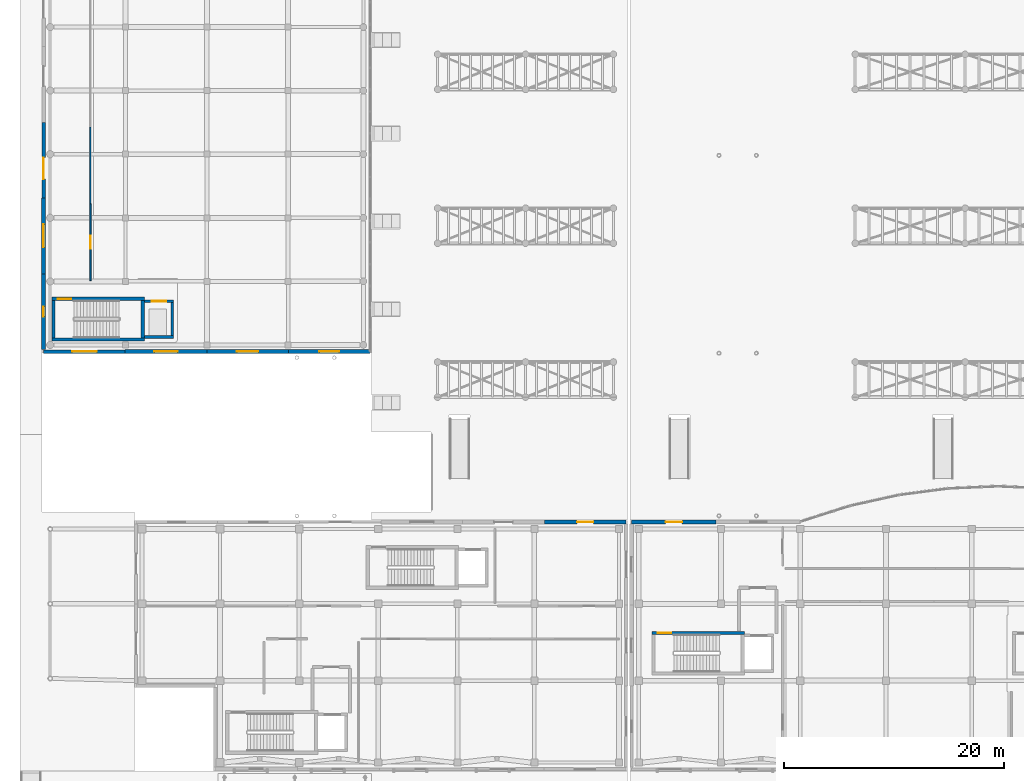
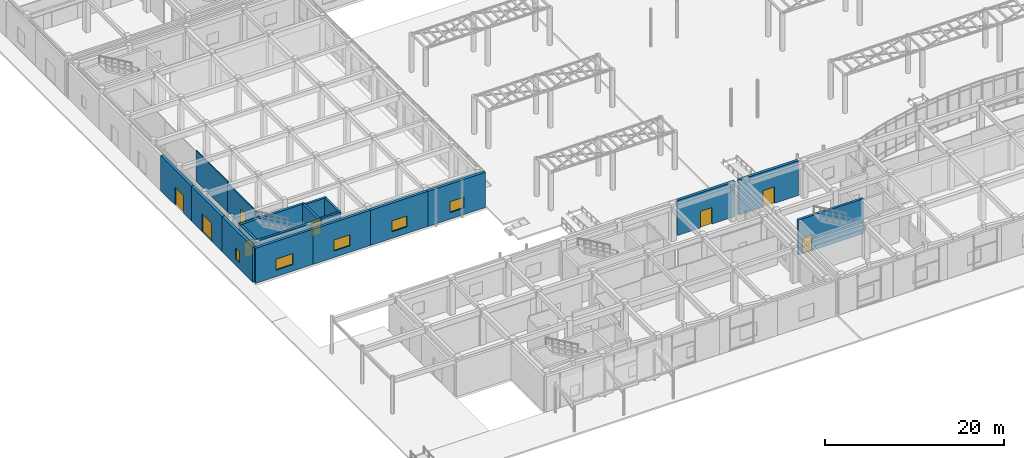
# One storey, part 97 of 121: 19 walls, 8 doors, 5 windows, 13 openings.
"""IFC4 building model written with IfcOpenShell, lengths in metres."""

from ifc_helpers import new_model, si_unit, direction, frame, frame_2d, origin, place, context, subcontext, project, spatial, rectangle, extrude, material, layer, layer_set, type_object, element, fill, save


model = new_model("IFC4")

# Units and contexts
model_context = context("Model", 3, precision=1e-05, world=origin(), true_north=direction((0.0, 1.0)))
body_context = subcontext(model_context, "Body", "Model", "MODEL_VIEW")
ifc_project = project(units=[si_unit("LENGTHUNIT", "METRE"), si_unit("AREAUNIT", "SQUARE_METRE"), si_unit("VOLUMEUNIT", "CUBIC_METRE"), si_unit("PLANEANGLEUNIT", "RADIAN"), si_unit("MASSUNIT", "GRAM", prefix="KILO")], contexts=[model_context])

# Site, building, storey
site_placement = place(None, origin())
site = spatial("IfcSite", under=ifc_project, at=site_placement, CompositionType="ELEMENT")
building_placement = place(site_placement, origin())
building = spatial("IfcBuilding", under=site, at=building_placement, Name="Valcora Specialist Clinic", CompositionType="ELEMENT")
storey_placement = place(building_placement, origin())
storey = spatial("IfcBuildingStorey", under=building, at=storey_placement, Name="L00", CompositionType="ELEMENT", Elevation=0.0)

# Wall
ifc_material_1 = material(Name="Concrete C40/50", Category="concrete")
ifc_layer_1 = layer(ifc_material_1, 0.300048828125)
ifc_layer_set_1 = layer_set([ifc_layer_1], Name="Concrete C40/50")
wall_type_1 = type_object("IfcWallType", Name="TY-WL-CR300", PredefinedType="SHEAR", material=ifc_layer_set_1)
wall_1_placement = place(storey_placement, frame((0.89990234375, 39.25, 0.0), z_axis=(0.0, 0.0, 1.0), x_axis=(1.0, 0.0, 0.0)))
element("IfcWall", 1, at=wall_1_placement, inside=storey, type_object=wall_type_1, Name="Core shear wall WL-CR-C-V1A-L00-S", PredefinedType="SHEAR", context=body_context, shape_type="SweptSolid", body=[
    extrude(rectangle(XDim=8.420166015625, YDim=0.300048828125, at=frame_2d((4.2099609375, 0.0))), origin(), (0.0, 0.0, 1.0), 4.81005859375),
])

# Wall, opening, door
wall_2_placement = place(storey_placement, frame((0.89990234375, 42.949951171875, 0.0), z_axis=(0.0, 0.0, 1.0), x_axis=(1.0, 0.0, 0.0)))
wall_2 = element("IfcWall", 2, at=wall_2_placement, inside=storey, type_object=wall_type_1, Name="Core shear wall WL-CR-C-V1A-L00-N", PredefinedType="SHEAR", context=body_context, shape_type="SweptSolid", body=[
    extrude(rectangle(XDim=8.420166015625, YDim=0.300048828125, at=frame_2d((4.2099609375, 0.0))), origin(), (0.0, 0.0, 1.0), 4.81005859375),
])
opening_1_placement = place(wall_2_placement, frame((0.550048828125, 0.0, 0.0)))
opening_1 = element("IfcOpeningElement", 3, at=opening_1_placement, cuts=wall_2, Name="Opening DR-FD-120", PredefinedType="OPENING", context=body_context, shape_type="SweptSolid", body=[
    extrude(rectangle(XDim=1.199951171875, YDim=2.199951171875, at=frame_2d((0.60009765625, 1.10009765625))), frame((0.0, 0.159912109375, 0.0), z_axis=(0.0, -1.0, 0.0), x_axis=(1.0, 0.0, 0.0)), (0.0, 0.0, 1.0), 0.320068359375),
])
ifc_material_2 = material(Name="Galvanized Hollow Metal Door Steel ASTM A653", Category="steel")
door_type_1 = type_object("IfcDoorType", Name="TY-DR-ST120", OperationType="NOTDEFINED", PredefinedType="DOOR", material=ifc_material_2)
door_1_placement = place(opening_1_placement, origin())
door_1 = element("IfcDoor", 4, at=door_1_placement, inside=storey, type_object=door_type_1, Name="Exit stair fire door C-V1A L00", OperationType="SINGLE_SWING_LEFT", OverallHeight=2.199951171875, OverallWidth=1.199951171875, PredefinedType="DOOR", context=body_context, shape_type="SweptSolid", body=[
    extrude(rectangle(XDim=1.199951171875, YDim=2.199951171875, at=frame_2d((0.60009765625, 1.10009765625))), frame((0.0, 0.02490234375, 0.0), z_axis=(0.0, -1.0, 0.0), x_axis=(1.0, 0.0, 0.0)), (0.0, 0.0, 1.0), 0.050048828125),
])
fill(opening_1, door_1)

# Wall
wall_3_placement = place(storey_placement, frame((1.050048828125, 39.402099609375, 0.0), z_axis=(0.0, 0.0, 1.0), x_axis=(0.0, 1.0, 0.0)))
element("IfcWall", 5, at=wall_3_placement, inside=storey, type_object=wall_type_1, Name="Core shear wall WL-CR-C-V1A-L00-W", PredefinedType="SHEAR", context=body_context, shape_type="SweptSolid", body=[
    extrude(rectangle(XDim=3.39599609375, YDim=0.300048828125, at=frame_2d((1.697998046875, 0.0))), origin(), (0.0, 0.0, 1.0), 4.81005859375),
])

# Wall, opening, door
wall_4_placement = place(storey_placement, frame((55.5, 12.550048828125, 0.0), z_axis=(0.0, 0.0, 1.0), x_axis=(1.0, 0.0, 0.0)))
wall_4 = element("IfcWall", 6, at=wall_4_placement, inside=storey, type_object=wall_type_1, Name="Core shear wall WL-CR-C-V6A-L00-N", PredefinedType="SHEAR", context=body_context, shape_type="SweptSolid", body=[
    extrude(rectangle(XDim=8.419921875, YDim=0.300048828125, at=frame_2d((4.2099609375, 0.0))), origin(), (0.0, 0.0, 1.0), 4.77001953125),
])
opening_2_placement = place(wall_4_placement, frame((0.550048828125, 0.0, 0.0)))
opening_2 = element("IfcOpeningElement", 7, at=opening_2_placement, cuts=wall_4, Name="Opening DR-FD-120", PredefinedType="OPENING", context=body_context, shape_type="SweptSolid", body=[
    extrude(rectangle(XDim=1.199951171875, YDim=2.199951171875, at=frame_2d((0.60009765625, 1.10009765625))), frame((0.0, 0.159912109375, 0.0), z_axis=(0.0, -1.0, 0.0), x_axis=(1.0, 0.0, 0.0)), (0.0, 0.0, 1.0), 0.320068359375),
])
door_2_placement = place(opening_2_placement, origin())
door_2 = element("IfcDoor", 8, at=door_2_placement, inside=storey, type_object=door_type_1, Name="Exit stair fire door C-V6A L00", OperationType="SINGLE_SWING_LEFT", OverallHeight=2.199951171875, OverallWidth=1.199951171875, PredefinedType="DOOR", context=body_context, shape_type="SweptSolid", body=[
    extrude(rectangle(XDim=1.199951171875, YDim=2.199951171875, at=frame_2d((0.60009765625, 1.10009765625))), frame((0.0, 0.02490234375, 0.0), z_axis=(0.0, -1.0, 0.0), x_axis=(1.0, 0.0, 0.0)), (0.0, 0.0, 1.0), 0.050048828125),
])
fill(opening_2, door_2)

# Wall
ifc_layer_2 = layer(ifc_material_1, 0.320068359375)
ifc_layer_set_2 = layer_set([ifc_layer_2], Name="Concrete C40/50")
wall_type_2 = type_object("IfcWallType", Name="TY-WL-CR320", PredefinedType="SHEAR", material=ifc_layer_set_2)
wall_5_placement = place(storey_placement, frame((9.159912109375, 39.402099609375, 0.0), z_axis=(0.0, 0.0, 1.0), x_axis=(0.0, 1.0, 0.0)))
element("IfcWall", 9, at=wall_5_placement, inside=storey, type_object=wall_type_2, Name="Core shear wall WL-CR-C-V1A-L00-E", PredefinedType="SHEAR", context=body_context, shape_type="SweptSolid", body=[
    extrude(rectangle(XDim=3.39599609375, YDim=0.320068359375, at=frame_2d((1.697998046875, 0.0))), origin(), (0.0, 0.0, 1.0), 4.81005859375),
])

# Wall, opening, window
ifc_material_3 = material(Name="Extruded Jalisco Clay Brick Masonry", Category="masonry")
ifc_layer_3 = layer(ifc_material_3, 0.324951171875)
ifc_layer_set_3 = layer_set([ifc_layer_3], Name="Extruded Jalisco Clay Brick Masonry")
wall_type_3 = type_object("IfcWallType", Name="TY-WL-EW325", PredefinedType="SOLIDWALL", material=ifc_layer_set_3)
wall_6_placement = place(storey_placement, frame((7.574951171875, 38.14990234375, 0.0), z_axis=(0.0, 0.0, 1.0), x_axis=(-1.0, 0.0, 0.0)))
wall_6 = element("IfcWall", 10, at=wall_6_placement, inside=storey, type_object=wall_type_3, Name="Exterior wall WL-EXT-L00-0024", PredefinedType="SOLIDWALL", context=body_context, shape_type="SweptSolid", body=[
    extrude(rectangle(XDim=7.425048828125, YDim=0.324951171875, at=frame_2d((3.71240234375, 0.0))), origin(), (0.0, 0.0, 1.0), 4.81005859375),
])
opening_3_placement = place(wall_6_placement, frame((2.5869140625, 0.0, 0.89990234375)))
opening_3 = element("IfcOpeningElement", 11, at=opening_3_placement, cuts=wall_6, Name="Opening WN-10", PredefinedType="OPENING", context=body_context, shape_type="SweptSolid", body=[
    extrude(rectangle(XDim=2.25, YDim=1.5, at=frame_2d((1.125, 0.75))), frame((0.0, 0.17236328125, 0.0), z_axis=(0.0, -1.0, 0.0), x_axis=(1.0, 0.0, 0.0)), (0.0, 0.0, 1.0), 0.344970703125),
])
ifc_material_4 = material(Name="Low-E Laminated Insulating Glass", Category="glass")
window_type_1 = type_object("IfcWindowType", Name="TY-WN-10", PartitioningType="SINGLE_PANEL", PredefinedType="WINDOW", material=ifc_material_4)
window_1_placement = place(opening_3_placement, origin())
window_1 = element("IfcWindow", 12, at=window_1_placement, inside=storey, type_object=window_type_1, Name="Facade window WN-L00-0010", OverallHeight=1.5, OverallWidth=2.25, PartitioningType="SINGLE_PANEL", PredefinedType="WINDOW", context=body_context, shape_type="SweptSolid", body=[
    extrude(rectangle(XDim=2.25, YDim=1.5, at=frame_2d((1.125, 0.75))), frame((0.0, 0.030029296875, 0.0), z_axis=(0.0, -1.0, 0.0), x_axis=(1.0, 0.0, 0.0)), (0.0, 0.0, 1.0), 0.06005859375),
])
fill(opening_3, window_1)

# Wall, opening, door
ifc_layer_4 = layer(ifc_material_3, 0.340087890625)
ifc_layer_set_4 = layer_set([ifc_layer_4], Name="Extruded Jalisco Clay Brick Masonry")
wall_type_4 = type_object("IfcWallType", Name="TY-WL-EW340", PredefinedType="SOLIDWALL", material=ifc_layer_set_4)
wall_7_placement = place(storey_placement, frame((0.14990234375, 52.11328125, 0.0), z_axis=(0.0, 0.0, 1.0), x_axis=(0.0, 1.0, 0.0)))
wall_7 = element("IfcWall", 13, at=wall_7_placement, inside=storey, type_object=wall_type_4, Name="Exterior wall WL-EXT-L00-0013", PredefinedType="SOLIDWALL", context=body_context, shape_type="SweptSolid", body=[
    extrude(rectangle(XDim=6.88671875, YDim=0.340087890625, at=frame_2d((3.443359375, 0.0))), origin(), (0.0, 0.0, 1.0), 4.81005859375),
])
opening_4_placement = place(wall_7_placement, frame((1.72802734375, 0.0, 0.0)))
opening_4 = element("IfcOpeningElement", 14, at=opening_4_placement, cuts=wall_7, Name="Opening DR-EX-195", PredefinedType="OPENING", context=body_context, shape_type="SweptSolid", body=[
    extrude(rectangle(XDim=1.949951171875, YDim=2.39990234375, at=frame_2d((0.97509765625, 1.199951171875))), frame((0.0, 0.179931640625, 0.0), z_axis=(0.0, -1.0, 0.0), x_axis=(1.0, 0.0, 0.0)), (0.0, 0.0, 1.0), 0.360107421875),
])
ifc_material_5 = material(Name="Anodized Bronze Aluminium 6063-T6", Category="aluminium")
door_type_2 = type_object("IfcDoorType", Name="TY-DR-EX195", OperationType="NOTDEFINED", PredefinedType="DOOR", material=ifc_material_5)
door_3_placement = place(opening_4_placement, origin())
door_3 = element("IfcDoor", 15, at=door_3_placement, inside=storey, type_object=door_type_2, Name="Exterior door DR-EXT-L00-002", OperationType="SINGLE_SWING_RIGHT", OverallHeight=2.39990234375, OverallWidth=1.949951171875, PredefinedType="DOOR", context=body_context, shape_type="SweptSolid", body=[
    extrude(rectangle(XDim=1.949951171875, YDim=2.39990234375, at=frame_2d((0.97509765625, 1.199951171875))), frame((0.0, 0.02490234375, 0.0), z_axis=(0.0, -1.0, 0.0), x_axis=(1.0, 0.0, 0.0)), (0.0, 0.0, 1.0), 0.050048828125),
])
fill(opening_4, door_3)

# Wall, opening, window
wall_8_placement = place(storey_placement, frame((15.0, 38.14990234375, 0.0), z_axis=(0.0, 0.0, 1.0), x_axis=(-1.0, 0.0, 0.0)))
wall_8 = element("IfcWall", 16, at=wall_8_placement, inside=storey, type_object=wall_type_4, Name="Exterior wall WL-EXT-L00-0023", PredefinedType="SOLIDWALL", context=body_context, shape_type="SweptSolid", body=[
    extrude(rectangle(XDim=7.425048828125, YDim=0.340087890625, at=frame_2d((3.71240234375, 0.0))), origin(), (0.0, 0.0, 1.0), 4.81005859375),
])
opening_5_placement = place(wall_8_placement, frame((2.662109375, 0.0, 0.89990234375)))
opening_5 = element("IfcOpeningElement", 17, at=opening_5_placement, cuts=wall_8, Name="Opening WN-09", PredefinedType="OPENING", context=body_context, shape_type="SweptSolid", body=[
    extrude(rectangle(XDim=2.10009765625, YDim=1.5, at=frame_2d((1.050048828125, 0.75))), frame((0.0, 0.179931640625, 0.0), z_axis=(0.0, -1.0, 0.0), x_axis=(1.0, 0.0, 0.0)), (0.0, 0.0, 1.0), 0.360107421875),
])
window_type_2 = type_object("IfcWindowType", Name="TY-WN-09", PartitioningType="SINGLE_PANEL", PredefinedType="WINDOW", material=ifc_material_4)
window_2_placement = place(opening_5_placement, origin())
window_2 = element("IfcWindow", 18, at=window_2_placement, inside=storey, type_object=window_type_2, Name="Facade window WN-L00-0009", OverallHeight=1.5, OverallWidth=2.10009765625, PartitioningType="SINGLE_PANEL", PredefinedType="WINDOW", context=body_context, shape_type="SweptSolid", body=[
    extrude(rectangle(XDim=2.10009765625, YDim=1.5, at=frame_2d((1.050048828125, 0.75))), frame((0.0, 0.030029296875, 0.0), z_axis=(0.0, -1.0, 0.0), x_axis=(1.0, 0.0, 0.0)), (0.0, 0.0, 1.0), 0.06005859375),
])
fill(opening_5, window_2)

# Wall, opening, door
wall_9_placement = place(storey_placement, frame((45.716796875, 22.64990234375, 0.0), z_axis=(0.0, 0.0, 1.0), x_axis=(1.0, 0.0, 0.0)))
wall_9 = element("IfcWall", 19, at=wall_9_placement, inside=storey, type_object=wall_type_4, Name="Exterior wall WL-EXT-L00-0233", PredefinedType="SOLIDWALL", context=body_context, shape_type="SweptSolid", body=[
    extrude(rectangle(XDim=7.43310546875, YDim=0.340087890625, at=frame_2d((3.716552734375, 0.0))), origin(), (0.0, 0.0, 1.0), 4.784912109375),
])
opening_6_placement = place(wall_9_placement, frame((2.967041015625, 0.0, 0.0)))
opening_6 = element("IfcOpeningElement", 20, at=opening_6_placement, cuts=wall_9, Name="Opening DR-EX-150", PredefinedType="OPENING", context=body_context, shape_type="SweptSolid", body=[
    extrude(rectangle(XDim=1.5, YDim=2.25, at=frame_2d((0.75, 1.125))), frame((0.0, 0.179931640625, 0.0), z_axis=(0.0, -1.0, 0.0), x_axis=(1.0, 0.0, 0.0)), (0.0, 0.0, 1.0), 0.360107421875),
])
door_type_3 = type_object("IfcDoorType", Name="TY-DR-EX150", OperationType="NOTDEFINED", PredefinedType="DOOR", material=ifc_material_5)
door_4_placement = place(opening_6_placement, origin())
door_4 = element("IfcDoor", 21, at=door_4_placement, inside=storey, type_object=door_type_3, Name="Exterior door DR-EXT-L00-015", OperationType="SINGLE_SWING_LEFT", OverallHeight=2.25, OverallWidth=1.5, PredefinedType="DOOR", context=body_context, shape_type="SweptSolid", body=[
    extrude(rectangle(XDim=1.5, YDim=2.25, at=frame_2d((0.75, 1.125))), frame((0.0, 0.02490234375, 0.0), z_axis=(0.0, -1.0, 0.0), x_axis=(1.0, 0.0, 0.0)), (0.0, 0.0, 1.0), 0.050048828125),
])
fill(opening_6, door_4)

wall_10_placement = place(storey_placement, frame((53.64990234375, 22.64990234375, 0.0), z_axis=(0.0, 0.0, 1.0), x_axis=(1.0, 0.0, 0.0)))
wall_10 = element("IfcWall", 22, at=wall_10_placement, inside=storey, type_object=wall_type_4, Name="Exterior wall WL-EXT-L00-0303", PredefinedType="SOLIDWALL", context=body_context, shape_type="SweptSolid", body=[
    extrude(rectangle(XDim=7.686767578125, YDim=0.340087890625, at=frame_2d((3.84326171875, 0.0))), origin(), (0.0, 0.0, 1.0), 4.77001953125),
])
opening_7_placement = place(wall_10_placement, frame((3.093017578125, 0.0, 0.0)))
opening_7 = element("IfcOpeningElement", 23, at=opening_7_placement, cuts=wall_10, Name="Opening DR-EX-150", PredefinedType="OPENING", context=body_context, shape_type="SweptSolid", body=[
    extrude(rectangle(XDim=1.5, YDim=2.25, at=frame_2d((0.75, 1.125))), frame((0.0, 0.179931640625, 0.0), z_axis=(0.0, -1.0, 0.0), x_axis=(1.0, 0.0, 0.0)), (0.0, 0.0, 1.0), 0.360107421875),
])
door_5_placement = place(opening_7_placement, origin())
door_5 = element("IfcDoor", 24, at=door_5_placement, inside=storey, type_object=door_type_3, Name="Exterior door DR-EXT-L00-020", OperationType="SINGLE_SWING_RIGHT", OverallHeight=2.25, OverallWidth=1.5, PredefinedType="DOOR", context=body_context, shape_type="SweptSolid", body=[
    extrude(rectangle(XDim=1.5, YDim=2.25, at=frame_2d((0.75, 1.125))), frame((0.0, 0.02490234375, 0.0), z_axis=(0.0, -1.0, 0.0), x_axis=(1.0, 0.0, 0.0)), (0.0, 0.0, 1.0), 0.050048828125),
])
fill(opening_7, door_5)

ifc_layer_5 = layer(ifc_material_3, 0.35498046875)
ifc_layer_set_5 = layer_set([ifc_layer_5], Name="Extruded Jalisco Clay Brick Masonry")
wall_type_5 = type_object("IfcWallType", Name="TY-WL-EW355", PredefinedType="SOLIDWALL", material=ifc_layer_set_5)
wall_11_placement = place(storey_placement, frame((0.14990234375, 45.226806640625, 0.0), z_axis=(0.0, 0.0, 1.0), x_axis=(0.0, 1.0, 0.0)))
wall_11 = element("IfcWall", 25, at=wall_11_placement, inside=storey, type_object=wall_type_5, Name="Exterior wall WL-EXT-L00-0012", PredefinedType="SOLIDWALL", context=body_context, shape_type="SweptSolid", body=[
    extrude(rectangle(XDim=6.886474609375, YDim=0.35498046875, at=frame_2d((3.443359375, 0.0))), origin(), (0.0, 0.0, 1.0), 4.81005859375),
])
opening_8_placement = place(wall_11_placement, frame((2.39306640625, 0.0, 0.0)))
opening_8 = element("IfcOpeningElement", 26, at=opening_8_placement, cuts=wall_11, Name="Opening DR-EX-210", PredefinedType="OPENING", context=body_context, shape_type="SweptSolid", body=[
    extrude(rectangle(XDim=2.10009765625, YDim=2.449951171875, at=frame_2d((1.050048828125, 1.22509765625))), frame((0.0, 0.1875, 0.0), z_axis=(0.0, -1.0, 0.0), x_axis=(1.0, 0.0, 0.0)), (0.0, 0.0, 1.0), 0.375),
])
door_type_4 = type_object("IfcDoorType", Name="TY-DR-EX210", OperationType="NOTDEFINED", PredefinedType="DOOR", material=ifc_material_5)
door_6_placement = place(opening_8_placement, origin())
door_6 = element("IfcDoor", 27, at=door_6_placement, inside=storey, type_object=door_type_4, Name="Exterior door DR-EXT-L00-001", OperationType="SINGLE_SWING_LEFT", OverallHeight=2.449951171875, OverallWidth=2.10009765625, PredefinedType="DOOR", context=body_context, shape_type="SweptSolid", body=[
    extrude(rectangle(XDim=2.10009765625, YDim=2.449951171875, at=frame_2d((1.050048828125, 1.22509765625))), frame((0.0, 0.02490234375, 0.0), z_axis=(0.0, -1.0, 0.0), x_axis=(1.0, 0.0, 0.0)), (0.0, 0.0, 1.0), 0.050048828125),
])
fill(opening_8, door_6)

# Wall, opening, window
wall_12_placement = place(storey_placement, frame((22.425048828125, 38.14990234375, 0.0), z_axis=(0.0, 0.0, 1.0), x_axis=(-1.0, 0.0, 0.0)))
wall_12 = element("IfcWall", 28, at=wall_12_placement, inside=storey, type_object=wall_type_5, Name="Exterior wall WL-EXT-L00-0022", PredefinedType="SOLIDWALL", context=body_context, shape_type="SweptSolid", body=[
    extrude(rectangle(XDim=7.425048828125, YDim=0.35498046875, at=frame_2d((3.71240234375, 0.0))), origin(), (0.0, 0.0, 1.0), 4.81005859375),
])
opening_9_placement = place(wall_12_placement, frame((2.738037109375, 0.0, 0.89990234375)))
opening_9 = element("IfcOpeningElement", 29, at=opening_9_placement, cuts=wall_12, Name="Opening WN-08", PredefinedType="OPENING", context=body_context, shape_type="SweptSolid", body=[
    extrude(rectangle(XDim=1.949951171875, YDim=1.5, at=frame_2d((0.97509765625, 0.75))), frame((0.0, 0.1875, 0.0), z_axis=(0.0, -1.0, 0.0), x_axis=(1.0, 0.0, 0.0)), (0.0, 0.0, 1.0), 0.375),
])
window_type_3 = type_object("IfcWindowType", Name="TY-WN-08", PartitioningType="SINGLE_PANEL", PredefinedType="WINDOW", material=ifc_material_4)
window_3_placement = place(opening_9_placement, origin())
window_3 = element("IfcWindow", 30, at=window_3_placement, inside=storey, type_object=window_type_3, Name="Facade window WN-L00-0008", OverallHeight=1.5, OverallWidth=1.949951171875, PartitioningType="SINGLE_PANEL", PredefinedType="WINDOW", context=body_context, shape_type="SweptSolid", body=[
    extrude(rectangle(XDim=1.949951171875, YDim=1.5, at=frame_2d((0.97509765625, 0.75))), frame((0.0, 0.030029296875, 0.0), z_axis=(0.0, -1.0, 0.0), x_axis=(1.0, 0.0, 0.0)), (0.0, 0.0, 1.0), 0.06005859375),
])
fill(opening_9, window_3)

ifc_layer_6 = layer(ifc_material_3, 0.3701171875)
ifc_layer_set_6 = layer_set([ifc_layer_6], Name="Extruded Jalisco Clay Brick Masonry")
wall_type_6 = type_object("IfcWallType", Name="TY-WL-EW370", PredefinedType="SOLIDWALL", material=ifc_layer_set_6)
wall_13_placement = place(storey_placement, frame((0.14990234375, 38.340087890625, 0.0), z_axis=(0.0, 0.0, 1.0), x_axis=(0.0, 1.0, 0.0)))
wall_13 = element("IfcWall", 31, at=wall_13_placement, inside=storey, type_object=wall_type_6, Name="Exterior wall WL-EXT-L00-0011", PredefinedType="SOLIDWALL", context=body_context, shape_type="SweptSolid", body=[
    extrude(rectangle(XDim=6.88671875, YDim=0.3701171875, at=frame_2d((3.443359375, 0.0))), origin(), (0.0, 0.0, 1.0), 4.81005859375),
])
opening_10_placement = place(wall_13_placement, frame((2.992919921875, 0.0, 0.89990234375)))
opening_10 = element("IfcOpeningElement", 32, at=opening_10_placement, cuts=wall_13, Name="Opening WN-01", PredefinedType="OPENING", context=body_context, shape_type="SweptSolid", body=[
    extrude(rectangle(XDim=0.89990234375, YDim=1.5, at=frame_2d((0.449951171875, 0.75))), frame((0.0, 0.195068359375, 0.0), z_axis=(0.0, -1.0, 0.0), x_axis=(1.0, 0.0, 0.0)), (0.0, 0.0, 1.0), 0.39013671875),
])
window_type_4 = type_object("IfcWindowType", Name="TY-WN-01", PartitioningType="SINGLE_PANEL", PredefinedType="WINDOW", material=ifc_material_4)
window_4_placement = place(opening_10_placement, origin())
window_4 = element("IfcWindow", 33, at=window_4_placement, inside=storey, type_object=window_type_4, Name="Facade window WN-L00-0001", OverallHeight=1.5, OverallWidth=0.89990234375, PartitioningType="SINGLE_PANEL", PredefinedType="WINDOW", context=body_context, shape_type="SweptSolid", body=[
    extrude(rectangle(XDim=0.89990234375, YDim=1.5, at=frame_2d((0.449951171875, 0.75))), frame((0.0, 0.030029296875, 0.0), z_axis=(0.0, -1.0, 0.0), x_axis=(1.0, 0.0, 0.0)), (0.0, 0.0, 1.0), 0.06005859375),
])
fill(opening_10, window_4)

wall_14_placement = place(storey_placement, frame((29.85009765625, 38.14990234375, 0.0), z_axis=(0.0, 0.0, 1.0), x_axis=(-1.0, 0.0, 0.0)))
wall_14 = element("IfcWall", 34, at=wall_14_placement, inside=storey, type_object=wall_type_6, Name="Exterior wall WL-EXT-L00-0021", PredefinedType="SOLIDWALL", context=body_context, shape_type="SweptSolid", body=[
    extrude(rectangle(XDim=7.425048828125, YDim=0.3701171875, at=frame_2d((3.71240234375, 0.0))), origin(), (0.0, 0.0, 1.0), 4.81005859375),
])
opening_11_placement = place(wall_14_placement, frame((2.81298828125, 0.0, 0.89990234375)))
opening_11 = element("IfcOpeningElement", 35, at=opening_11_placement, cuts=wall_14, Name="Opening WN-07", PredefinedType="OPENING", context=body_context, shape_type="SweptSolid", body=[
    extrude(rectangle(XDim=1.800048828125, YDim=1.5, at=frame_2d((0.89990234375, 0.75))), frame((0.0, 0.195068359375, 0.0), z_axis=(0.0, -1.0, 0.0), x_axis=(1.0, 0.0, 0.0)), (0.0, 0.0, 1.0), 0.39013671875),
])
window_type_5 = type_object("IfcWindowType", Name="TY-WN-07", PartitioningType="SINGLE_PANEL", PredefinedType="WINDOW", material=ifc_material_4)
window_5_placement = place(opening_11_placement, origin())
window_5 = element("IfcWindow", 36, at=window_5_placement, inside=storey, type_object=window_type_5, Name="Facade window WN-L00-0007", OverallHeight=1.5, OverallWidth=1.800048828125, PartitioningType="SINGLE_PANEL", PredefinedType="WINDOW", context=body_context, shape_type="SweptSolid", body=[
    extrude(rectangle(XDim=1.800048828125, YDim=1.5, at=frame_2d((0.89990234375, 0.75))), frame((0.0, 0.030029296875, 0.0), z_axis=(0.0, -1.0, 0.0), x_axis=(1.0, 0.0, 0.0)), (0.0, 0.0, 1.0), 0.06005859375),
])
fill(opening_11, window_5)

# Wall
ifc_material_6 = material(Name="Gypsum Board Partition Assembly")
ifc_layer_7 = layer(ifc_material_6, 0.114990234375)
ifc_layer_set_7 = layer_set([ifc_layer_7], Name="Gypsum Board Partition Assembly")
wall_type_7 = type_object("IfcWallType", Name="TY-WL-PT115", PredefinedType="PARTITIONING", material=ifc_layer_set_7)
wall_15_placement = place(storey_placement, frame((4.39990234375, 51.60009765625, 0.0), z_axis=(0.0, 0.0, 1.0), x_axis=(0.0, 1.0, 0.0)))
element("IfcWall", 37, at=wall_15_placement, inside=storey, type_object=wall_type_7, Name="Interior partition WL-INT-L00-0033", PredefinedType="PARTITIONING", context=body_context, shape_type="SweptSolid", body=[
    extrude(rectangle(XDim=7.0, YDim=0.114990234375, at=frame_2d((3.5, 0.0))), origin(), (0.0, 0.0, 1.0), 4.2099609375),
])

# Wall, opening, door
ifc_layer_8 = layer(ifc_material_6, 0.125)
ifc_layer_set_8 = layer_set([ifc_layer_8], Name="Gypsum Board Partition Assembly")
wall_type_8 = type_object("IfcWallType", Name="TY-WL-PT125", PredefinedType="PARTITIONING", material=ifc_layer_set_8)
wall_16_placement = place(storey_placement, frame((4.39990234375, 44.60009765625, 0.0), z_axis=(0.0, 0.0, 1.0), x_axis=(0.0, 1.0, 0.0)))
wall_16 = element("IfcWall", 38, at=wall_16_placement, inside=storey, type_object=wall_type_8, Name="Interior partition WL-INT-L00-0032", PredefinedType="PARTITIONING", context=body_context, shape_type="SweptSolid", body=[
    extrude(rectangle(XDim=7.0, YDim=0.125, at=frame_2d((3.5, 0.0))), origin(), (0.0, 0.0, 1.0), 4.010009765625),
])
opening_12_placement = place(wall_16_placement, frame((2.909912109375, 0.0, 0.0)))
opening_12 = element("IfcOpeningElement", 39, at=opening_12_placement, cuts=wall_16, Name="Opening DR-CN-118", PredefinedType="OPENING", context=body_context, shape_type="SweptSolid", body=[
    extrude(rectangle(XDim=1.179931640625, YDim=2.199951171875, at=frame_2d((0.58984375, 1.10009765625))), frame((0.0, 0.072509765625, 0.0), z_axis=(0.0, -1.0, 0.0), x_axis=(1.0, 0.0, 0.0)), (0.0, 0.0, 1.0), 0.14501953125),
])
ifc_material_7 = material(Name="Glulam Conifer Class 24F", Category="wood")
door_type_5 = type_object("IfcDoorType", Name="TY-DR-CN118", OperationType="NOTDEFINED", PredefinedType="DOOR", material=ifc_material_7)
door_7_placement = place(opening_12_placement, origin())
door_7 = element("IfcDoor", 40, at=door_7_placement, inside=storey, type_object=door_type_5, Name="Interior door DR-INT-L00-0009", OperationType="SINGLE_SWING_LEFT", OverallHeight=2.199951171875, OverallWidth=1.179931640625, PredefinedType="DOOR", context=body_context, shape_type="SweptSolid", body=[
    extrude(rectangle(XDim=1.179931640625, YDim=2.199951171875, at=frame_2d((0.58984375, 1.10009765625))), frame((0.0, 0.02490234375, 0.0), z_axis=(0.0, -1.0, 0.0), x_axis=(1.0, 0.0, 0.0)), (0.0, 0.0, 1.0), 0.050048828125),
])
fill(opening_12, door_7)

# Wall
ifc_layer_9 = layer(ifc_material_1, 0.260009765625)
ifc_layer_set_9 = layer_set([ifc_layer_9], Name="Concrete C40/50")
wall_type_9 = type_object("IfcWallType", Name="TY-WL-SH260", PredefinedType="SHEAR", material=ifc_layer_set_9)
wall_17_placement = place(storey_placement, frame((9.322021484375, 39.469970703125, 0.0), z_axis=(0.0, 0.0, 1.0), x_axis=(1.0, 0.0, 0.0)))
element("IfcWall", 41, at=wall_17_placement, inside=storey, type_object=wall_type_9, Name="Lift shaft wall WL-LF-LF-01-L00-LS", PredefinedType="SHEAR", context=body_context, shape_type="SweptSolid", body=[
    extrude(rectangle(XDim=2.657958984375, YDim=0.260009765625, at=frame_2d((1.3291015625, 0.0))), origin(), (0.0, 0.0, 1.0), 4.81005859375),
])

# Wall, opening, door
wall_18_placement = place(storey_placement, frame((9.322021484375, 42.72998046875, 0.0), z_axis=(0.0, 0.0, 1.0), x_axis=(1.0, 0.0, 0.0)))
wall_18 = element("IfcWall", 42, at=wall_18_placement, inside=storey, type_object=wall_type_9, Name="Lift shaft wall WL-LF-LF-01-L00-LN", PredefinedType="SHEAR", context=body_context, shape_type="SweptSolid", body=[
    extrude(rectangle(XDim=2.657958984375, YDim=0.260009765625, at=frame_2d((1.3291015625, 0.0))), origin(), (0.0, 0.0, 1.0), 4.81005859375),
])
opening_13_placement = place(wall_18_placement, frame((0.678955078125, 0.0, 0.0)))
opening_13 = element("IfcOpeningElement", 43, at=opening_13_placement, cuts=wall_18, Name="Opening LD-130", PredefinedType="OPENING", context=body_context, shape_type="SweptSolid", body=[
    extrude(rectangle(XDim=1.300048828125, YDim=2.199951171875, at=frame_2d((0.64990234375, 1.10009765625))), frame((0.0, 0.139892578125, 0.0), z_axis=(0.0, -1.0, 0.0), x_axis=(1.0, 0.0, 0.0)), (0.0, 0.0, 1.0), 0.280029296875),
])
ifc_material_8 = material(Name="Stainless Steel AISI 316", Category="steel")
door_type_6 = type_object("IfcDoorType", Name="TY-LD-130", OperationType="NOTDEFINED", PredefinedType="DOOR", material=ifc_material_8)
door_8_placement = place(opening_13_placement, origin())
door_8 = element("IfcDoor", 44, at=door_8_placement, inside=storey, type_object=door_type_6, Name="Lift landing sliding door LF-01 L00", OperationType="SLIDING_TO_LEFT", OverallHeight=2.199951171875, OverallWidth=1.300048828125, PredefinedType="DOOR", context=body_context, shape_type="SweptSolid", body=[
    extrude(rectangle(XDim=1.300048828125, YDim=2.199951171875, at=frame_2d((0.64990234375, 1.10009765625))), frame((0.0, 0.02490234375, 0.0), z_axis=(0.0, -1.0, 0.0), x_axis=(1.0, 0.0, 0.0)), (0.0, 0.0, 1.0), 0.050048828125),
])
fill(opening_13, door_8)

# Wall
wall_19_placement = place(storey_placement, frame((11.85009765625, 39.60205078125, 0.0), z_axis=(0.0, 0.0, 1.0), x_axis=(0.0, 1.0, 0.0)))
element("IfcWall", 45, at=wall_19_placement, inside=storey, type_object=wall_type_9, Name="Lift shaft wall WL-LF-LF-01-L00-LE", PredefinedType="SHEAR", context=body_context, shape_type="SweptSolid", body=[
    extrude(rectangle(XDim=2.995849609375, YDim=0.260009765625, at=frame_2d((1.498046875, 0.0))), origin(), (0.0, 0.0, 1.0), 4.81005859375),
])

save(model, "model.ifc")
